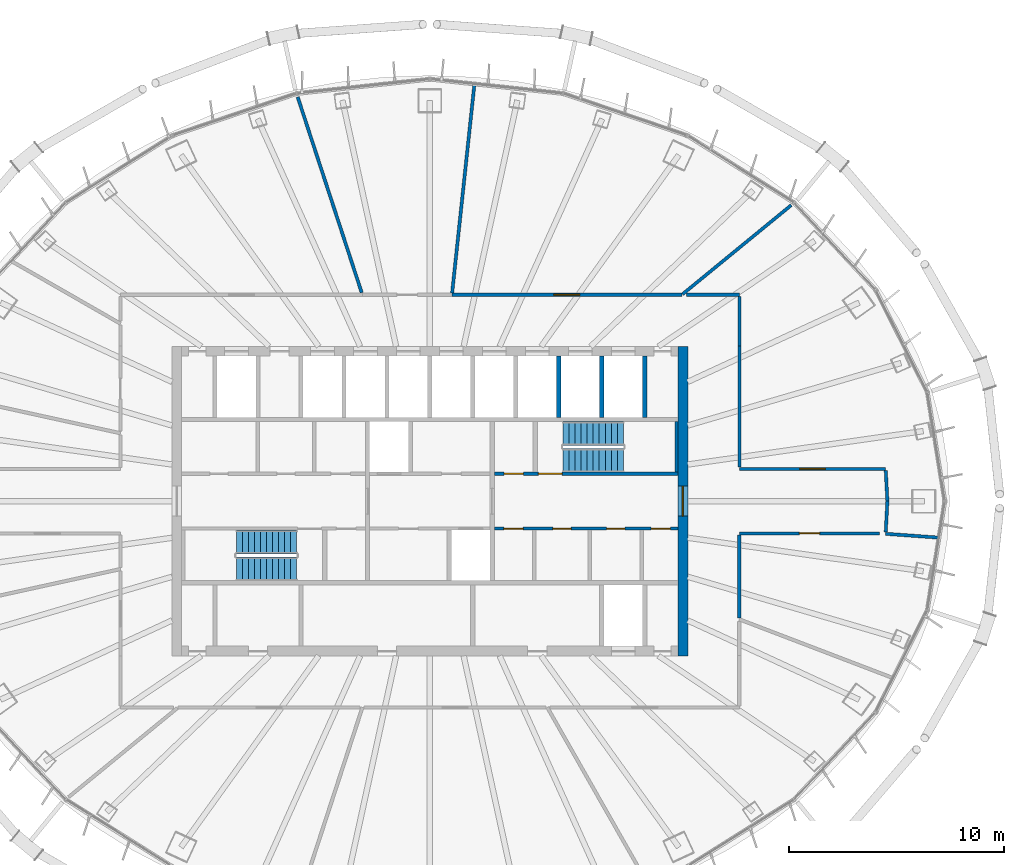
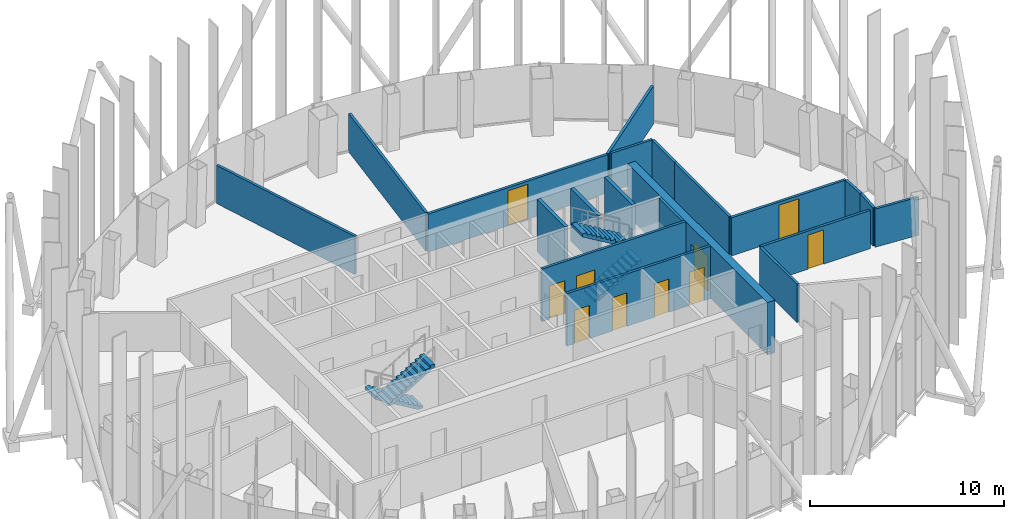
# One storey, part 11 of 18: 20 walls, 10 doors, 4 stair flights, 10 openings, 2 elements without a shape of their own.
"""IFC4 building model written with IfcOpenShell, lengths in metres."""

from ifc_helpers import new_model, si_unit, direction, frame, frame_2d, origin, place, context, subcontext, project, spatial, polyline, rectangle, outline, extrude, material, layer, layer_set, type_object, element, fill, aggregate, save


model = new_model("IFC4")

# Units and contexts
model_context = context("Model", 3, precision=1e-05, world=origin(), true_north=direction((0.0, 1.0)))
body_context = subcontext(model_context, "Body", "Model", "MODEL_VIEW")
ifc_project = project(units=[si_unit("LENGTHUNIT", "METRE"), si_unit("AREAUNIT", "SQUARE_METRE"), si_unit("VOLUMEUNIT", "CUBIC_METRE"), si_unit("PLANEANGLEUNIT", "RADIAN"), si_unit("MASSUNIT", "GRAM", prefix="KILO")], contexts=[model_context])

# Site, building, storey
site_placement = place(None, origin())
site = spatial("IfcSite", under=ifc_project, at=site_placement, CompositionType="ELEMENT")
building_placement = place(site_placement, origin())
building = spatial("IfcBuilding", under=site, at=building_placement, Name="Siaravel Broadcast Tower", CompositionType="ELEMENT")
storey_placement = place(building_placement, frame((0.0, 0.0, 157.10009765625)))
storey = spatial("IfcBuildingStorey", under=building, at=storey_placement, Name="L37", CompositionType="ELEMENT", Elevation=157.10009765625)

# Wall, opening, door
ifc_material_1 = material(Name="Concrete C60/75", Category="concrete")
ifc_layer_1 = layer(ifc_material_1, 0.449951171875)
ifc_layer_set_1 = layer_set([ifc_layer_1], Name="Concrete C60/75")
wall_type_1 = type_object("IfcWallType", Name="Core wall 450", PredefinedType="SHEAR", material=ifc_layer_set_1)
wall_1_placement = place(storey_placement, frame((11.77490234375, -7.199951171875, 0.0), z_axis=(0.0, 0.0, 1.0), x_axis=(0.0, 1.0, 0.0)))
wall_1 = element("IfcWall", 1, at=wall_1_placement, inside=storey, type_object=wall_type_1, Name="L37 core wall OE", PredefinedType="SHEAR", context=body_context, shape_type="SweptSolid", body=[
    extrude(rectangle(XDim=14.39990234375, YDim=0.449951171875, at=frame_2d((7.199951171875, 0.0))), origin(), (0.0, 0.0, 1.0), 3.2998046875),
])
opening_1_placement = place(wall_1_placement, frame((6.5, 0.0, 0.0)))
opening_1 = element("IfcOpeningElement", 2, at=opening_1_placement, cuts=wall_1, Name="Opening L37-DX-E", PredefinedType="OPENING", context=body_context, shape_type="SweptSolid", body=[
    extrude(rectangle(XDim=1.39990234375, YDim=2.199951171875, at=frame_2d((0.699951171875, 1.10009765625))), frame((0.0, 0.23486328125, 0.0), z_axis=(0.0, -1.0, 0.0), x_axis=(1.0, 0.0, 0.0)), (0.0, 0.0, 1.0), 0.469970703125),
])
ifc_material_2 = material(Name="Steel", Category="steel")
door_type_1 = type_object("IfcDoorType", Name="Core exit door 1400", OperationType="DOUBLE_DOOR_SINGLE_SWING", PredefinedType="DOOR", material=ifc_material_2)
door_1_placement = place(opening_1_placement, origin())
door_1 = element("IfcDoor", 3, at=door_1_placement, inside=storey, type_object=door_type_1, Name="L37 door DX-E", OperationType="DOUBLE_DOOR_SINGLE_SWING", OverallHeight=2.199951171875, OverallWidth=1.39990234375, PredefinedType="DOOR", context=body_context, shape_type="SweptSolid", body=[
    extrude(rectangle(XDim=1.39990234375, YDim=2.199951171875, at=frame_2d((0.699951171875, 1.10009765625))), frame((0.0, 0.02490234375, 0.0), z_axis=(0.0, -1.0, 0.0), x_axis=(1.0, 0.0, 0.0)), (0.0, 0.0, 1.0), 0.050048828125),
])
fill(opening_1, door_1)

# Wall, openings, doors
ifc_material_3 = material(Name="Gypsum board partition", Category="gypsum")
ifc_layer_2 = layer(ifc_material_3, 0.14990234375)
ifc_layer_set_2 = layer_set([ifc_layer_2], Name="Gypsum board partition")
wall_type_2 = type_object("IfcWallType", Name="Corridor wall 150", PredefinedType="PARTITIONING", material=ifc_layer_set_2)
wall_2_placement = place(storey_placement, frame((3.0, -1.27490234375, 0.0), z_axis=(0.0, 0.0, 1.0), x_axis=(1.0, 0.0, 0.0)))
wall_2 = element("IfcWall", 4, at=wall_2_placement, inside=storey, type_object=wall_type_2, Name="L37 core partition CSE", PredefinedType="PARTITIONING", context=body_context, shape_type="SweptSolid", body=[
    extrude(rectangle(XDim=8.550048828125, YDim=0.14990234375, at=frame_2d((4.27490234375, 0.0))), origin(), (0.0, 0.0, 1.0), 3.2998046875),
])
opening_2_placement = place(wall_2_placement, frame((0.44091796875, 0.0, 0.0)))
opening_2 = element("IfcOpeningElement", 5, at=opening_2_placement, cuts=wall_2, Name="Opening L37-DSE0", PredefinedType="OPENING", context=body_context, shape_type="SweptSolid", body=[
    extrude(rectangle(XDim=0.89990234375, YDim=2.10009765625, at=frame_2d((0.449951171875, 1.050048828125))), frame((0.0, 0.0849609375, 0.0), z_axis=(0.0, -1.0, 0.0), x_axis=(1.0, 0.0, 0.0)), (0.0, 0.0, 1.0), 0.169921875),
])
opening_3_placement = place(wall_2_placement, frame((2.721923828125, 0.0, 0.0)))
opening_3 = element("IfcOpeningElement", 6, at=opening_3_placement, cuts=wall_2, Name="Opening L37-DSE1", PredefinedType="OPENING", context=body_context, shape_type="SweptSolid", body=[
    extrude(rectangle(XDim=0.85009765625, YDim=2.10009765625, at=frame_2d((0.425048828125, 1.050048828125))), frame((0.0, 0.0849609375, 0.0), z_axis=(0.0, -1.0, 0.0), x_axis=(1.0, 0.0, 0.0)), (0.0, 0.0, 1.0), 0.169921875),
])
opening_4_placement = place(wall_2_placement, frame((5.220947265625, 0.0, 0.0)))
opening_4 = element("IfcOpeningElement", 7, at=opening_4_placement, cuts=wall_2, Name="Opening L37-DSE2", PredefinedType="OPENING", context=body_context, shape_type="SweptSolid", body=[
    extrude(rectangle(XDim=0.85009765625, YDim=2.10009765625, at=frame_2d((0.425048828125, 1.050048828125))), frame((0.0, 0.0849609375, 0.0), z_axis=(0.0, -1.0, 0.0), x_axis=(1.0, 0.0, 0.0)), (0.0, 0.0, 1.0), 0.169921875),
])
opening_5_placement = place(wall_2_placement, frame((7.2900390625, 0.0, 0.0)))
opening_5 = element("IfcOpeningElement", 8, at=opening_5_placement, cuts=wall_2, Name="Opening L37-DSE3", PredefinedType="OPENING", context=body_context, shape_type="SweptSolid", body=[
    extrude(rectangle(XDim=0.89990234375, YDim=2.10009765625, at=frame_2d((0.449951171875, 1.050048828125))), frame((0.0, 0.0849609375, 0.0), z_axis=(0.0, -1.0, 0.0), x_axis=(1.0, 0.0, 0.0)), (0.0, 0.0, 1.0), 0.169921875),
])
ifc_material_4 = material(Name="Timber veneer", Category="wood")
door_type_2 = type_object("IfcDoorType", Name="Core room door 900", OperationType="SINGLE_SWING_LEFT", PredefinedType="DOOR", material=ifc_material_4)
door_2_placement = place(opening_2_placement, origin())
door_2 = element("IfcDoor", 9, at=door_2_placement, inside=storey, type_object=door_type_2, Name="L37 door DSE0", OperationType="SINGLE_SWING_LEFT", OverallHeight=2.10009765625, OverallWidth=0.89990234375, PredefinedType="DOOR", context=body_context, shape_type="SweptSolid", body=[
    extrude(rectangle(XDim=0.89990234375, YDim=2.10009765625, at=frame_2d((0.449951171875, 1.050048828125))), frame((0.0, 0.02490234375, 0.0), z_axis=(0.0, -1.0, 0.0), x_axis=(1.0, 0.0, 0.0)), (0.0, 0.0, 1.0), 0.050048828125),
])
fill(opening_2, door_2)
door_3_placement = place(opening_5_placement, origin())
door_3 = element("IfcDoor", 10, at=door_3_placement, inside=storey, type_object=door_type_2, Name="L37 door DSE3", OperationType="SINGLE_SWING_LEFT", OverallHeight=2.10009765625, OverallWidth=0.89990234375, PredefinedType="DOOR", context=body_context, shape_type="SweptSolid", body=[
    extrude(rectangle(XDim=0.89990234375, YDim=2.10009765625, at=frame_2d((0.449951171875, 1.050048828125))), frame((0.0, 0.02490234375, 0.0), z_axis=(0.0, -1.0, 0.0), x_axis=(1.0, 0.0, 0.0)), (0.0, 0.0, 1.0), 0.050048828125),
])
fill(opening_5, door_3)
door_type_3 = type_object("IfcDoorType", Name="Core toilet door 850", OperationType="SINGLE_SWING_LEFT", PredefinedType="DOOR", material=ifc_material_4)
door_4_placement = place(opening_3_placement, origin())
door_4 = element("IfcDoor", 11, at=door_4_placement, inside=storey, type_object=door_type_3, Name="L37 door DSE1", OperationType="SINGLE_SWING_LEFT", OverallHeight=2.10009765625, OverallWidth=0.85009765625, PredefinedType="DOOR", context=body_context, shape_type="SweptSolid", body=[
    extrude(rectangle(XDim=0.85009765625, YDim=2.10009765625, at=frame_2d((0.425048828125, 1.050048828125))), frame((0.0, 0.02490234375, 0.0), z_axis=(0.0, -1.0, 0.0), x_axis=(1.0, 0.0, 0.0)), (0.0, 0.0, 1.0), 0.050048828125),
])
fill(opening_3, door_4)
door_5_placement = place(opening_4_placement, origin())
door_5 = element("IfcDoor", 12, at=door_5_placement, inside=storey, type_object=door_type_3, Name="L37 door DSE2", OperationType="SINGLE_SWING_LEFT", OverallHeight=2.10009765625, OverallWidth=0.85009765625, PredefinedType="DOOR", context=body_context, shape_type="SweptSolid", body=[
    extrude(rectangle(XDim=0.85009765625, YDim=2.10009765625, at=frame_2d((0.425048828125, 1.050048828125))), frame((0.0, 0.02490234375, 0.0), z_axis=(0.0, -1.0, 0.0), x_axis=(1.0, 0.0, 0.0)), (0.0, 0.0, 1.0), 0.050048828125),
])
fill(opening_4, door_5)

# Wall, opening, door
wall_3_placement = place(storey_placement, frame((11.719970703125, 9.60009765625, 0.0), z_axis=(0.0, 0.0, 1.0), x_axis=(-1.0, 0.0, 0.0)))
wall_3 = element("IfcWall", 13, at=wall_3_placement, inside=storey, type_object=wall_type_2, Name="L37 partition 2", PredefinedType="PARTITIONING", context=body_context, shape_type="SweptSolid", body=[
    extrude(rectangle(XDim=10.694580078125, YDim=0.14990234375, at=frame_2d((5.34716796875, 0.0))), origin(), (0.0, 0.0, 1.0), 2.39990234375),
])
opening_6_placement = place(wall_3_placement, frame((4.747314453125, 0.0, 0.0)))
opening_6 = element("IfcOpeningElement", 14, at=opening_6_placement, cuts=wall_3, Name="Opening L37-002", PredefinedType="OPENING", context=body_context, shape_type="SweptSolid", body=[
    extrude(rectangle(XDim=1.199951171875, YDim=2.199951171875, at=frame_2d((0.60009765625, 1.10009765625))), frame((0.0, 0.0849609375, 0.0), z_axis=(0.0, -1.0, 0.0), x_axis=(1.0, 0.0, 0.0)), (0.0, 0.0, 1.0), 0.169921875),
])
door_type_4 = type_object("IfcDoorType", Name="Office double door 1200", OperationType="DOUBLE_DOOR_SINGLE_SWING", PredefinedType="DOOR", material=ifc_material_4)
door_6_placement = place(opening_6_placement, origin())
door_6 = element("IfcDoor", 15, at=door_6_placement, inside=storey, type_object=door_type_4, Name="L37 door to Open plan office", OperationType="DOUBLE_DOOR_SINGLE_SWING", OverallHeight=2.199951171875, OverallWidth=1.199951171875, PredefinedType="DOOR", context=body_context, shape_type="SweptSolid", body=[
    extrude(rectangle(XDim=1.199951171875, YDim=2.199951171875, at=frame_2d((0.60009765625, 1.10009765625))), frame((0.0, 0.02490234375, 0.0), z_axis=(0.0, -1.0, 0.0), x_axis=(1.0, 0.0, 0.0)), (0.0, 0.0, 1.0), 0.050048828125),
])
fill(opening_6, door_6)

wall_4_placement = place(storey_placement, frame((21.20166015625, 1.5, 0.0), z_axis=(0.0, 0.0, 1.0), x_axis=(-0.999999948, 0.000323148, 0.0)))
wall_4 = element("IfcWall", 16, at=wall_4_placement, inside=storey, type_object=wall_type_2, Name="L37 partition 15", PredefinedType="PARTITIONING", context=body_context, shape_type="SweptSolid", body=[
    extrude(rectangle(XDim=6.799560546875, YDim=0.14990234375, at=frame_2d((3.39990234375, 0.0))), origin(), (0.0, 0.0, 1.0), 2.39990234375),
])
opening_7_placement = place(wall_4_placement, frame((2.7998046875, 0.0, 0.0)))
opening_7 = element("IfcOpeningElement", 17, at=opening_7_placement, cuts=wall_4, Name="Opening L37-001", PredefinedType="OPENING", context=body_context, shape_type="SweptSolid", body=[
    extrude(rectangle(XDim=1.199951171875, YDim=2.199951171875, at=frame_2d((0.60009765625, 1.10009765625))), frame((0.0, 0.0849609375, 0.0), z_axis=(0.0, -1.0, 0.0), x_axis=(1.0, 0.0, 0.0)), (0.0, 0.0, 1.0), 0.169921875),
])
door_7_placement = place(opening_7_placement, origin())
door_7 = element("IfcDoor", 18, at=door_7_placement, inside=storey, type_object=door_type_4, Name="L37 door to Open plan office", OperationType="DOUBLE_DOOR_SINGLE_SWING", OverallHeight=2.199951171875, OverallWidth=1.199951171875, PredefinedType="DOOR", context=body_context, shape_type="SweptSolid", body=[
    extrude(rectangle(XDim=1.199951171875, YDim=2.199951171875, at=frame_2d((0.60009765625, 1.10009765625))), frame((0.0, 0.02490234375, 0.0), z_axis=(0.0, -1.0, 0.0), x_axis=(1.0, 0.0, 0.0)), (0.0, 0.0, 1.0), 0.050048828125),
])
fill(opening_7, door_7)

wall_5_placement = place(storey_placement, frame((14.39990234375, -1.5, 0.0), z_axis=(0.0, 0.0, 1.0), x_axis=(1.0, 0.0, 0.0)))
wall_5 = element("IfcWall", 19, at=wall_5_placement, inside=storey, type_object=wall_type_2, Name="L37 partition 18", PredefinedType="PARTITIONING", context=body_context, shape_type="SweptSolid", body=[
    extrude(rectangle(XDim=6.531982421875, YDim=0.14990234375, at=frame_2d((3.26611328125, 0.0))), origin(), (0.0, 0.0, 1.0), 2.39990234375),
])
opening_8_placement = place(wall_5_placement, frame((2.791015625, 0.0, 0.0)))
opening_8 = element("IfcOpeningElement", 20, at=opening_8_placement, cuts=wall_5, Name="Opening L37-011", PredefinedType="OPENING", context=body_context, shape_type="SweptSolid", body=[
    extrude(rectangle(XDim=0.949951171875, YDim=2.14990234375, at=frame_2d((0.47509765625, 1.074951171875))), frame((0.0, 0.0849609375, 0.0), z_axis=(0.0, -1.0, 0.0), x_axis=(1.0, 0.0, 0.0)), (0.0, 0.0, 1.0), 0.169921875),
])
door_type_5 = type_object("IfcDoorType", Name="Office door 950", OperationType="SINGLE_SWING_LEFT", PredefinedType="DOOR", material=ifc_material_4)
door_8_placement = place(opening_8_placement, origin())
door_8 = element("IfcDoor", 21, at=door_8_placement, inside=storey, type_object=door_type_5, Name="L37 door to Office", OperationType="SINGLE_SWING_LEFT", OverallHeight=2.14990234375, OverallWidth=0.949951171875, PredefinedType="DOOR", context=body_context, shape_type="SweptSolid", body=[
    extrude(rectangle(XDim=0.949951171875, YDim=2.14990234375, at=frame_2d((0.47509765625, 1.074951171875))), frame((0.0, 0.02490234375, 0.0), z_axis=(0.0, -1.0, 0.0), x_axis=(1.0, 0.0, 0.0)), (0.0, 0.0, 1.0), 0.050048828125),
])
fill(opening_8, door_8)

# Walls
wall_6_placement = place(storey_placement, frame((14.402099609375, 1.5791015625, 0.0), z_axis=(0.0, 0.0, 1.0), x_axis=(0.0, 1.0, 0.0)))
element("IfcWall", 22, at=wall_6_placement, inside=storey, type_object=wall_type_2, Name="L37 partition 20", PredefinedType="PARTITIONING", context=body_context, shape_type="SweptSolid", body=[
    extrude(rectangle(XDim=5.6328125, YDim=0.14990234375, at=frame_2d((2.81640625, 0.0))), origin(), (0.0, 0.0, 1.0), 2.39990234375),
])
wall_7_placement = place(storey_placement, frame((14.39990234375, -5.42822265625, 0.0), z_axis=(0.0, 0.0, 1.0), x_axis=(0.0, 1.0, 0.0)))
element("IfcWall", 23, at=wall_7_placement, inside=storey, type_object=wall_type_2, Name="L37 partition 24", PredefinedType="PARTITIONING", context=body_context, shape_type="SweptSolid", body=[
    extrude(rectangle(XDim=3.851318359375, YDim=0.14990234375, at=frame_2d((1.92578125, 0.0))), origin(), (0.0, 0.0, 1.0), 2.39990234375),
])
wall_8_placement = place(storey_placement, frame((14.402099609375, 9.60205078125, 0.0), z_axis=(0.0, 0.0, 1.0), x_axis=(-1.0, 0.0, 0.0)))
element("IfcWall", 24, at=wall_8_placement, inside=storey, type_object=wall_type_2, Name="L37 partition 26", PredefinedType="PARTITIONING", context=body_context, shape_type="SweptSolid", body=[
    extrude(rectangle(XDim=2.4677734375, YDim=0.14990234375, at=frame_2d((1.23388671875, 0.0))), origin(), (0.0, 0.0, 1.0), 2.39990234375),
])
wall_9_placement = place(storey_placement, frame((14.402099609375, 7.212890625, 0.0), z_axis=(0.0, 0.0, 1.0), x_axis=(0.0, 1.0, 0.0)))
element("IfcWall", 25, at=wall_9_placement, inside=storey, type_object=wall_type_2, Name="L37 partition 28", PredefinedType="PARTITIONING", context=body_context, shape_type="SweptSolid", body=[
    extrude(rectangle(XDim=2.31201171875, YDim=0.14990234375, at=frame_2d((1.156005859375, 0.0))), origin(), (0.0, 0.0, 1.0), 2.39990234375),
])
wall_10_placement = place(storey_placement, frame((21.21240234375, -1.442626953125, 0.0), z_axis=(0.0, 0.0, 1.0), x_axis=(0.053232927, 0.998582123, 0.0)))
element("IfcWall", 26, at=wall_10_placement, inside=storey, type_object=wall_type_2, Name="L37 partition 34", PredefinedType="PARTITIONING", context=body_context, shape_type="SweptSolid", body=[
    extrude(rectangle(XDim=1.444580078125, YDim=0.14990234375, at=frame_2d((0.72216796875, 0.0))), origin(), (0.0, 0.0, 1.0), 2.39990234375),
])
wall_11_placement = place(storey_placement, frame((21.288818359375, 0.010009765625, 0.0), z_axis=(0.0, 0.0, 1.0), x_axis=(-0.053271351, 0.998580073, 0.0)))
element("IfcWall", 27, at=wall_11_placement, inside=storey, type_object=wall_type_2, Name="L37 partition 37", PredefinedType="PARTITIONING", context=body_context, shape_type="SweptSolid", body=[
    extrude(rectangle(XDim=1.420654296875, YDim=0.14990234375, at=frame_2d((0.71044921875, 0.0))), origin(), (0.0, 0.0, 1.0), 2.39990234375),
])
ifc_layer_3 = layer(ifc_material_3, 0.14990234375)
ifc_layer_set_3 = layer_set([ifc_layer_3], Name="Gypsum board partition")
wall_type_3 = type_object("IfcWallType", Name="Room partition 150", PredefinedType="PARTITIONING", material=ifc_layer_set_3)
wall_12_placement = place(storey_placement, frame((2.0712890625, 19.393310546875, 0.0), z_axis=(0.0, 0.0, 1.0), x_axis=(-0.106198491, -0.99434495, 0.0)))
element("IfcWall", 28, at=wall_12_placement, inside=storey, type_object=wall_type_3, Name="L37 partition 3", PredefinedType="PARTITIONING", context=body_context, shape_type="SweptSolid", body=[
    extrude(rectangle(XDim=9.763427734375, YDim=0.14990234375, at=frame_2d((4.8818359375, 0.0))), origin(), (0.0, 0.0, 1.0), 2.39990234375),
])
wall_13_placement = place(storey_placement, frame((-6.151611328125, 18.8056640625, 0.0), z_axis=(0.0, 0.0, 1.0), x_axis=(0.310901784, -0.950442045, 0.0)))
element("IfcWall", 29, at=wall_13_placement, inside=storey, type_object=wall_type_3, Name="L37 partition 4", PredefinedType="PARTITIONING", context=body_context, shape_type="SweptSolid", body=[
    extrude(rectangle(XDim=9.580322265625, YDim=0.14990234375, at=frame_2d((4.7900390625, 0.0))), origin(), (0.0, 0.0, 1.0), 2.39990234375),
])
wall_14_placement = place(storey_placement, frame((16.8134765625, 13.772216796875, 0.0), z_axis=(0.0, 0.0, 1.0), x_axis=(-0.773595956, -0.633679175, 0.0)))
element("IfcWall", 30, at=wall_14_placement, inside=storey, type_object=wall_type_3, Name="L37 partition 17", PredefinedType="PARTITIONING", context=body_context, shape_type="SweptSolid", body=[
    extrude(rectangle(XDim=6.53466796875, YDim=0.14990234375, at=frame_2d((3.267333984375, 0.0))), origin(), (0.0, 0.0, 1.0), 2.39990234375),
])
wall_15_placement = place(storey_placement, frame((21.1962890625, -1.51904296875, 0.0), z_axis=(0.0, 0.0, 1.0), x_axis=(0.997445362, -0.071433532, 0.0)))
element("IfcWall", 31, at=wall_15_placement, inside=storey, type_object=wall_type_3, Name="L37 partition 27", PredefinedType="PARTITIONING", context=body_context, shape_type="SweptSolid", body=[
    extrude(rectangle(XDim=2.511962890625, YDim=0.14990234375, at=frame_2d((1.255859375, 0.0))), origin(), (0.0, 0.0, 1.0), 2.39990234375),
])

# Wall, openings, doors
ifc_layer_4 = layer(ifc_material_1, 0.14990234375)
ifc_layer_set_4 = layer_set([ifc_layer_4], Name="Concrete C60/75")
wall_type_4 = type_object("IfcWallType", Name="Shaft wall 150", PredefinedType="SHEAR", material=ifc_layer_set_4)
wall_16_placement = place(storey_placement, frame((3.0, 1.27490234375, 0.0), z_axis=(0.0, 0.0, 1.0), x_axis=(1.0, 0.0, 0.0)))
wall_16 = element("IfcWall", 32, at=wall_16_placement, inside=storey, type_object=wall_type_4, Name="L37 core wall CNE", PredefinedType="SHEAR", context=body_context, shape_type="SweptSolid", body=[
    extrude(rectangle(XDim=8.550048828125, YDim=0.14990234375, at=frame_2d((4.27490234375, 0.0))), origin(), (0.0, 0.0, 1.0), 3.2998046875),
])
opening_9_placement = place(wall_16_placement, frame((2.050048828125, 0.0, 0.0)))
opening_9 = element("IfcOpeningElement", 33, at=opening_9_placement, cuts=wall_16, Name="Opening L37-DS-2", PredefinedType="OPENING", context=body_context, shape_type="SweptSolid", body=[
    extrude(rectangle(XDim=1.10009765625, YDim=2.14990234375, at=frame_2d((0.550048828125, 1.074951171875))), frame((0.0, 0.0849609375, 0.0), z_axis=(0.0, -1.0, 0.0), x_axis=(1.0, 0.0, 0.0)), (0.0, 0.0, 1.0), 0.169921875),
])
opening_10_placement = place(wall_16_placement, frame((0.449951171875, 0.0, 0.0)))
opening_10 = element("IfcOpeningElement", 34, at=opening_10_placement, cuts=wall_16, Name="Opening L37-DNE0", PredefinedType="OPENING", context=body_context, shape_type="SweptSolid", body=[
    extrude(rectangle(XDim=0.89990234375, YDim=2.10009765625, at=frame_2d((0.449951171875, 1.050048828125))), frame((0.0, 0.0849609375, 0.0), z_axis=(0.0, -1.0, 0.0), x_axis=(1.0, 0.0, 0.0)), (0.0, 0.0, 1.0), 0.169921875),
])
door_9_placement = place(opening_10_placement, origin())
door_9 = element("IfcDoor", 35, at=door_9_placement, inside=storey, type_object=door_type_2, Name="L37 door DNE0", OperationType="SINGLE_SWING_LEFT", OverallHeight=2.10009765625, OverallWidth=0.89990234375, PredefinedType="DOOR", context=body_context, shape_type="SweptSolid", body=[
    extrude(rectangle(XDim=0.89990234375, YDim=2.10009765625, at=frame_2d((0.449951171875, 1.050048828125))), frame((0.0, 0.02490234375, 0.0), z_axis=(0.0, -1.0, 0.0), x_axis=(1.0, 0.0, 0.0)), (0.0, 0.0, 1.0), 0.050048828125),
])
fill(opening_10, door_9)
door_type_6 = type_object("IfcDoorType", Name="Stair door 1100", OperationType="SINGLE_SWING_LEFT", PredefinedType="DOOR", material=ifc_material_2)
door_10_placement = place(opening_9_placement, origin())
door_10 = element("IfcDoor", 36, at=door_10_placement, inside=storey, type_object=door_type_6, Name="L37 door DS-2", OperationType="SINGLE_SWING_LEFT", OverallHeight=2.14990234375, OverallWidth=1.10009765625, PredefinedType="DOOR", context=body_context, shape_type="SweptSolid", body=[
    extrude(rectangle(XDim=1.10009765625, YDim=2.14990234375, at=frame_2d((0.550048828125, 1.074951171875))), frame((0.0, 0.02490234375, 0.0), z_axis=(0.0, -1.0, 0.0), x_axis=(1.0, 0.0, 0.0)), (0.0, 0.0, 1.0), 0.050048828125),
])
fill(opening_9, door_10)

# Walls
wall_17_placement = place(storey_placement, frame((11.47509765625, 1.35009765625, 0.0), z_axis=(0.0, 0.0, 1.0), x_axis=(0.0, 1.0, 0.0)))
element("IfcWall", 37, at=wall_17_placement, inside=storey, type_object=wall_type_4, Name="L37 core wall ST2E", PredefinedType="SHEAR", context=body_context, shape_type="SweptSolid", body=[
    extrude(rectangle(XDim=2.349853515625, YDim=0.14990234375, at=frame_2d((1.1748046875, 0.0))), origin(), (0.0, 0.0, 1.0), 3.2998046875),
])
ifc_layer_5 = layer(ifc_material_1, 0.199951171875)
ifc_layer_set_5 = layer_set([ifc_layer_5], Name="Concrete C60/75")
wall_type_5 = type_object("IfcWallType", Name="Shaft wall 200", PredefinedType="SHEAR", material=ifc_layer_set_5)
for number, where, z_axis, x_axis, name in (
    (38, (6.0, 3.89990234375, 0.0), (0.0, 0.0, 1.0), (0.0, 1.0, 0.0), "L37 core wall SWN8"),
    (39, (8.0, 3.89990234375, 0.0), (0.0, 0.0, 1.0), (0.0, 1.0, 0.0), "L37 core wall SWN9"),
    (40, (10.0, 3.89990234375, 0.0), (0.0, 0.0, 1.0), (0.0, 1.0, 0.0), "L37 core wall SWN10"),
):
    element("IfcWall", number, at=place(storey_placement, frame(where, z_axis=z_axis, x_axis=x_axis)), inside=storey, type_object=wall_type_5, Name=name, PredefinedType="SHEAR", context=body_context, shape_type="SweptSolid", body=[
        extrude(rectangle(XDim=2.85009765625, YDim=0.199951171875, at=frame_2d((1.425048828125, 0.0))), origin(), (0.0, 0.0, 1.0), 3.2998046875),
    ])

# Stair, stair flights
ifc_material_5 = material(Name="Concrete C40/50", Category="concrete")
stair_type = type_object("IfcStairType", Name="Core exit stair", PredefinedType="HALF_TURN_STAIR", material=ifc_material_5)
stair_1_placement = place(storey_placement, origin())
stair_1 = element("IfcStair", 41, at=stair_1_placement, inside=storey, type_object=stair_type, Name="L37 Exit stair ST-1", PredefinedType="HALF_TURN_STAIR")
stair_flight_type = type_object("IfcStairFlightType", Name="Stair flight 1100", PredefinedType="STRAIGHT", material=ifc_material_5)
stair_flight_1_placement = place(storey_placement, frame((-6.199951171875, -1.89990234375, 0.0), z_axis=(0.0, 0.0, 1.0), x_axis=(-1.0, 0.0, 0.0)))
stair_flight_1 = element("IfcStairFlight", 42, at=stair_flight_1_placement, type_object=stair_flight_type, Name="ST-1 flight 1", NumberOfRisers=11, NumberOfTreads=10, PredefinedType="STRAIGHT", RiserHeight=0.1681818, TreadLength=0.28, context=body_context, shape_type="SweptSolid", body=[
    extrude(outline(polyline([(0.0, 0.0), (0.0, 0.168212890625), (0.280029296875, 0.168212890625), (0.280029296875, 0.33642578125), (0.56005859375, 0.33642578125), (0.56005859375, 0.504638671875), (0.840087890625, 0.504638671875), (0.840087890625, 0.672607421875), (1.1201171875, 0.672607421875), (1.1201171875, 0.8408203125), (1.39990234375, 0.8408203125), (1.39990234375, 1.009033203125), (1.679931640625, 1.009033203125), (1.679931640625, 1.17724609375), (1.9599609375, 1.17724609375), (1.9599609375, 1.345458984375), (2.239990234375, 1.345458984375), (2.239990234375, 1.513671875), (2.52001953125, 1.513671875), (2.52001953125, 1.681884765625), (2.800048828125, 1.681884765625), (2.800048828125, 1.85009765625), (2.800048828125, 1.5068359375), (0.291015625, 0.0), (0.0, 0.0)])), frame((0.0, 0.550048828125, 0.0), z_axis=(0.0, -1.0, 0.0), x_axis=(1.0, 0.0, 0.0)), (0.0, 0.0, 1.0), 1.10009765625),
])
stair_flight_2_placement = place(storey_placement, frame((-9.0, -3.14990234375, 1.849853515625), z_axis=(0.0, 0.0, 1.0), x_axis=(1.0, 0.0, 0.0)))
stair_flight_2 = element("IfcStairFlight", 43, at=stair_flight_2_placement, type_object=stair_flight_type, Name="ST-1 flight 2", NumberOfRisers=11, NumberOfTreads=10, PredefinedType="STRAIGHT", RiserHeight=0.1681818, TreadLength=0.28, context=body_context, shape_type="SweptSolid", body=[
    extrude(outline(polyline([(0.0, 0.0), (0.0, 0.168212890625), (0.280029296875, 0.168212890625), (0.280029296875, 0.33642578125), (0.56005859375, 0.33642578125), (0.56005859375, 0.504638671875), (0.840087890625, 0.504638671875), (0.840087890625, 0.672607421875), (1.1201171875, 0.672607421875), (1.1201171875, 0.8408203125), (1.39990234375, 0.8408203125), (1.39990234375, 1.009033203125), (1.679931640625, 1.009033203125), (1.679931640625, 1.17724609375), (1.9599609375, 1.17724609375), (1.9599609375, 1.345458984375), (2.239990234375, 1.345458984375), (2.239990234375, 1.513671875), (2.52001953125, 1.513671875), (2.52001953125, 1.681884765625), (2.800048828125, 1.681884765625), (2.800048828125, 1.85009765625), (2.800048828125, 1.5068359375), (0.291015625, 0.0), (0.0, 0.0)])), frame((0.0, 0.550048828125, 0.0), z_axis=(0.0, -1.0, 0.0), x_axis=(1.0, 0.0, 0.0)), (0.0, 0.0, 1.0), 1.10009765625),
])
aggregate(stair_1, [stair_flight_1, stair_flight_2])

stair_2_placement = place(storey_placement, origin())
stair_2 = element("IfcStair", 44, at=stair_2_placement, inside=storey, type_object=stair_type, Name="L37 Exit stair ST-2", PredefinedType="HALF_TURN_STAIR")
stair_flight_3_placement = place(storey_placement, frame((6.199951171875, 1.89990234375, 0.0), z_axis=(0.0, 0.0, 1.0), x_axis=(1.0, 0.0, 0.0)))
stair_flight_3 = element("IfcStairFlight", 45, at=stair_flight_3_placement, type_object=stair_flight_type, Name="ST-2 flight 1", NumberOfRisers=11, NumberOfTreads=10, PredefinedType="STRAIGHT", RiserHeight=0.1681818, TreadLength=0.28, context=body_context, shape_type="SweptSolid", body=[
    extrude(outline(polyline([(0.0, 0.0), (0.0, 0.168212890625), (0.280029296875, 0.168212890625), (0.280029296875, 0.33642578125), (0.56005859375, 0.33642578125), (0.56005859375, 0.504638671875), (0.840087890625, 0.504638671875), (0.840087890625, 0.672607421875), (1.1201171875, 0.672607421875), (1.1201171875, 0.8408203125), (1.39990234375, 0.8408203125), (1.39990234375, 1.009033203125), (1.679931640625, 1.009033203125), (1.679931640625, 1.17724609375), (1.9599609375, 1.17724609375), (1.9599609375, 1.345458984375), (2.239990234375, 1.345458984375), (2.239990234375, 1.513671875), (2.52001953125, 1.513671875), (2.52001953125, 1.681884765625), (2.800048828125, 1.681884765625), (2.800048828125, 1.85009765625), (2.800048828125, 1.5068359375), (0.291015625, 0.0), (0.0, 0.0)])), frame((0.0, 0.550048828125, 0.0), z_axis=(0.0, -1.0, 0.0), x_axis=(1.0, 0.0, 0.0)), (0.0, 0.0, 1.0), 1.10009765625),
])
stair_flight_4_placement = place(storey_placement, frame((9.0, 3.14990234375, 1.849853515625), z_axis=(0.0, 0.0, 1.0), x_axis=(-1.0, 0.0, 0.0)))
stair_flight_4 = element("IfcStairFlight", 46, at=stair_flight_4_placement, type_object=stair_flight_type, Name="ST-2 flight 2", NumberOfRisers=11, NumberOfTreads=10, PredefinedType="STRAIGHT", RiserHeight=0.1681818, TreadLength=0.28, context=body_context, shape_type="SweptSolid", body=[
    extrude(outline(polyline([(0.0, 0.0), (0.0, 0.168212890625), (0.280029296875, 0.168212890625), (0.280029296875, 0.33642578125), (0.56005859375, 0.33642578125), (0.56005859375, 0.504638671875), (0.840087890625, 0.504638671875), (0.840087890625, 0.672607421875), (1.1201171875, 0.672607421875), (1.1201171875, 0.8408203125), (1.39990234375, 0.8408203125), (1.39990234375, 1.009033203125), (1.679931640625, 1.009033203125), (1.679931640625, 1.17724609375), (1.9599609375, 1.17724609375), (1.9599609375, 1.345458984375), (2.239990234375, 1.345458984375), (2.239990234375, 1.513671875), (2.52001953125, 1.513671875), (2.52001953125, 1.681884765625), (2.800048828125, 1.681884765625), (2.800048828125, 1.85009765625), (2.800048828125, 1.5068359375), (0.291015625, 0.0), (0.0, 0.0)])), frame((0.0, 0.550048828125, 0.0), z_axis=(0.0, -1.0, 0.0), x_axis=(1.0, 0.0, 0.0)), (0.0, 0.0, 1.0), 1.10009765625),
])
aggregate(stair_2, [stair_flight_3, stair_flight_4])

save(model, "model.ifc")
